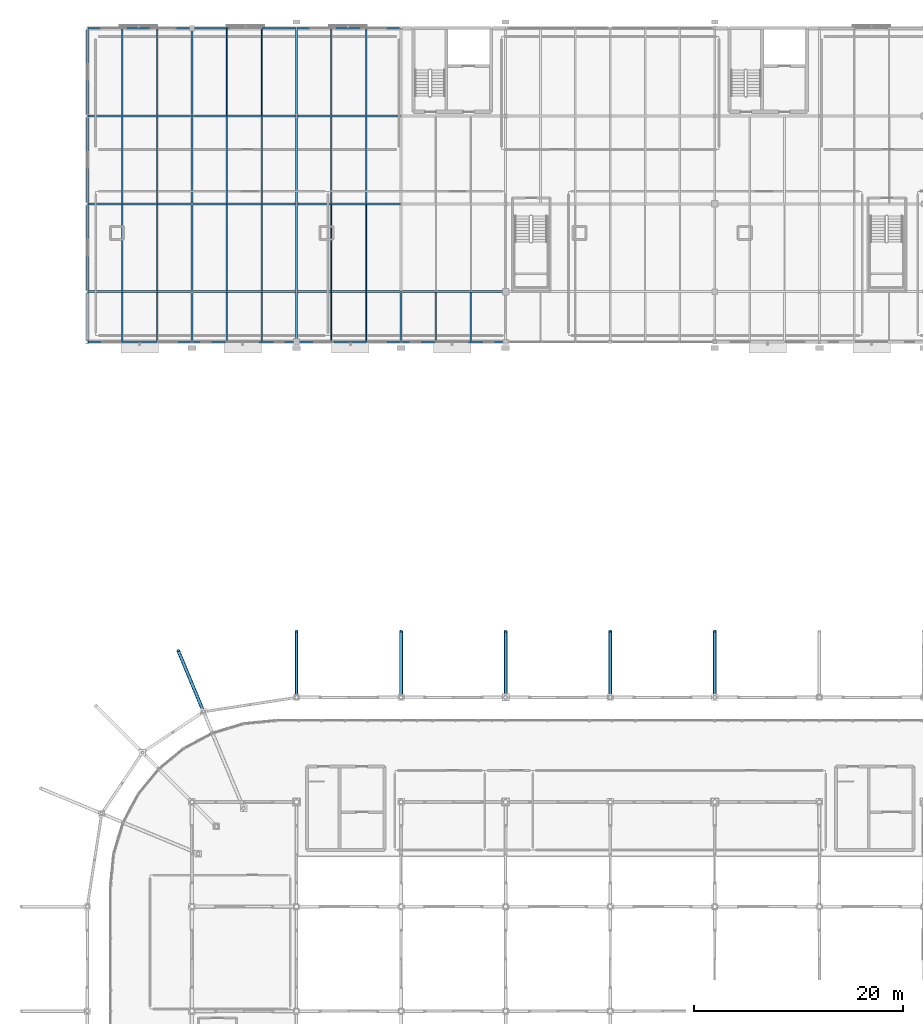
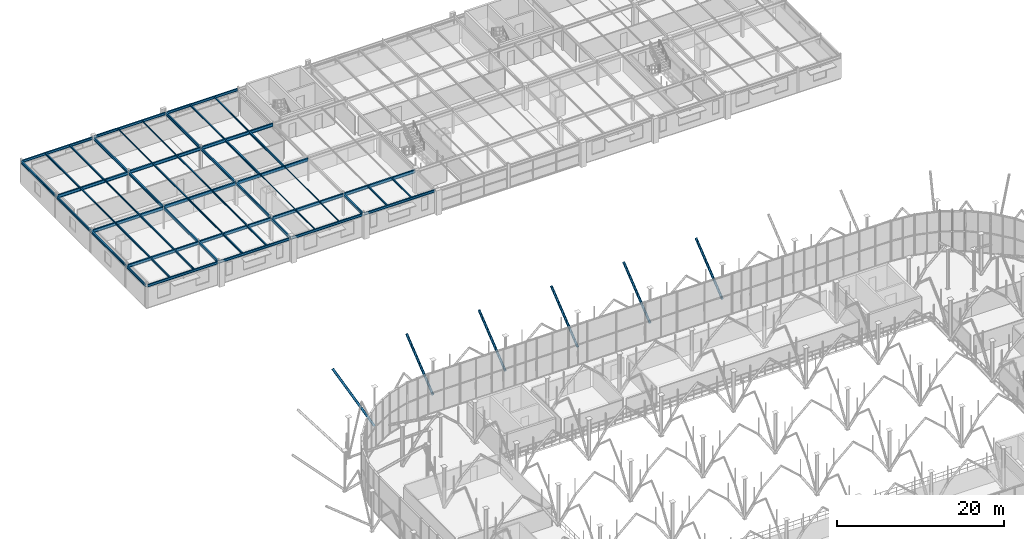
# One storey, part 81 of 109: 56 beams, 6 members.
"""IFC4 building model written with IfcOpenShell, lengths in metres."""

from ifc_helpers import new_model, si_unit, derived_unit, direction, frame, origin, origin_2d_with_axis, place, context, subcontext, project, spatial, hollow_circle, i_section, extrude, material, material_profile, profile_set, type_object, element, save


model = new_model("IFC4")

# Units and contexts
model_context = context("Model", 3, precision=1e-05, world=origin(), true_north=direction((0.0, 1.0)))
body_context = subcontext(model_context, "Body", "Model", "MODEL_VIEW")
ifc_project = project(units=[si_unit("LENGTHUNIT", "METRE"), si_unit("AREAUNIT", "SQUARE_METRE"), si_unit("VOLUMEUNIT", "CUBIC_METRE"), si_unit("PLANEANGLEUNIT", "RADIAN"), si_unit("MASSUNIT", "GRAM", prefix="KILO"), derived_unit("THERMALTRANSMITTANCEUNIT", [(si_unit("POWERUNIT", "WATT"), 1), (si_unit("LENGTHUNIT", "METRE"), -2), (si_unit("THERMODYNAMICTEMPERATUREUNIT", "KELVIN"), -1)])], contexts=[model_context])

# Site, building, storey
site_placement = place(None, origin())
site = spatial("IfcSite", under=ifc_project, at=site_placement, CompositionType="ELEMENT")
building_placement = place(site_placement, origin())
building = spatial("IfcBuilding", under=site, at=building_placement, Name="Cinnabar Yard Market Hall", CompositionType="ELEMENT")
storey_placement = place(building_placement, frame((0.0, 0.0, 8.39990234375)))
storey = spatial("IfcBuildingStorey", under=building, at=storey_placement, Name="L02", CompositionType="ELEMENT", Elevation=8.39990234375)

# Beams
ifc_material_1 = material(Name="Steel Grade 300 (300 MPa)", Category="steel")
ifc_material_profile_1 = material_profile(ifc_material_1, i_section(OverallWidth=0.18994140625, OverallDepth=0.453857421875, WebThickness=0.008544921875, FlangeThickness=0.0126953125, FilletRadius=0.011474609375, at=origin_2d_with_axis()), Name="460UB67.1")
ifc_profile_set_1 = profile_set([ifc_material_profile_1], Name="Steel Grade 300 (300 MPa)")
beam_type_1 = type_object("IfcBeamType", Name="BM-B05", PredefinedType="BEAM", material=ifc_profile_set_1)
for number, where, z_axis, x_axis, name in (
    (1, (66.06005859375, 112.800048828125, 3.05322265625), (1.0, 0.0, 0.0), (0.0, 1.0, 0.0), "V3 L02 Girder X 01188"),
    (2, (66.06005859375, 121.199951171875, 3.05322265625), (1.0, 0.0, 0.0), (0.0, 1.0, 0.0), "V3 L02 Girder X 01189"),
    (3, (66.06005859375, 129.60009765625, 3.05322265625), (1.0, 0.0, 0.0), (0.0, 1.0, 0.0), "V3 L02 Girder X 01190"),
    (4, (76.06005859375, 112.800048828125, 3.05322265625), (1.0, 0.0, 0.0), (0.0, 1.0, 0.0), "V3 L02 Girder X 01193"),
    (5, (76.06005859375, 121.199951171875, 3.13330078125), (1.0, 0.0, 0.0), (0.0, 1.0, 0.0), "V3 L02 Girder X 01194"),
    (6, (76.06005859375, 129.60009765625, 3.13330078125), (1.0, 0.0, 0.0), (0.0, 1.0, 0.0), "V3 L02 Girder X 01195"),
    (7, (86.06005859375, 112.800048828125, 3.05322265625), (1.0, 0.0, 0.0), (0.0, 1.0, 0.0), "V3 L02 Girder X 01198"),
    (8, (86.06005859375, 121.199951171875, 3.13330078125), (1.0, 0.0, 0.0), (0.0, 1.0, 0.0), "V3 L02 Girder X 01199"),
    (9, (86.06005859375, 129.60009765625, 3.13330078125), (1.0, 0.0, 0.0), (0.0, 1.0, 0.0), "V3 L02 Girder X 01200"),
    (10, (96.06005859375, 112.800048828125, 3.05322265625), (1.0, 0.0, 0.0), (0.0, 1.0, 0.0), "V3 L02 Girder X 01203"),
):
    element("IfcBeam", number, at=place(storey_placement, frame(where, z_axis=z_axis, x_axis=x_axis)), inside=storey, type_object=beam_type_1, Name=name, PredefinedType="BEAM", context=body_context, shape_type="SweptSolid", body=[
        extrude(i_section(OverallWidth=0.18994140625, OverallDepth=0.453857421875, WebThickness=0.008544921875, FlangeThickness=0.0126953125, FilletRadius=0.011474609375, at=origin_2d_with_axis()), origin(), (0.0, 0.0, 1.0), 9.8798828125),
    ])
ifc_material_profile_2 = material_profile(ifc_material_1, i_section(OverallWidth=0.177978515625, OverallDepth=0.406494140625, WebThickness=0.0078125, FlangeThickness=0.0126953125, FilletRadius=0.011474609375, at=origin_2d_with_axis()), Name="410UB59.7")
ifc_profile_set_2 = profile_set([ifc_material_profile_2], Name="Steel Grade 300 (300 MPa)")
beam_type_2 = type_object("IfcBeamType", Name="BM-B06", PredefinedType="BEAM", material=ifc_profile_set_2)
beam_1_placement = place(storey_placement, frame((76.0, 108.06005859375, 3.076904296875), z_axis=(0.0, 1.0, 0.0), x_axis=(-1.0, 0.0, 0.0)))
element("IfcBeam", 11, at=beam_1_placement, inside=storey, type_object=beam_type_2, Name="V3 L02 Girder Y 01241", PredefinedType="BEAM", context=body_context, shape_type="SweptSolid", body=[
    extrude(i_section(OverallWidth=0.177978515625, OverallDepth=0.406494140625, WebThickness=0.0078125, FlangeThickness=0.0126953125, FilletRadius=0.011474609375, at=origin_2d_with_axis()), origin(), (0.0, 0.0, 1.0), 4.679931640625),
])
beam_2_placement = place(storey_placement, frame((76.0, 112.860107421875, 3.076904296875), z_axis=(0.0, 1.0, 0.0), x_axis=(-1.0, 0.0, 0.0)))
element("IfcBeam", 12, at=beam_2_placement, inside=storey, type_object=beam_type_2, Name="V3 L02 Girder Y 01242", PredefinedType="BEAM", context=body_context, shape_type="SweptSolid", body=[
    extrude(i_section(OverallWidth=0.177978515625, OverallDepth=0.406494140625, WebThickness=0.0078125, FlangeThickness=0.0126953125, FilletRadius=0.011474609375, at=origin_2d_with_axis()), origin(), (0.0, 0.0, 1.0), 8.27978515625),
])
for number, where, z_axis, x_axis, name in (
    (13, (76.0, 121.260009765625, 3.076904296875), (0.0, 1.0, 0.0), (-1.0, 0.0, 0.0), "V3 L02 Girder Y 01243"),
    (14, (76.0, 129.659912109375, 3.076904296875), (0.0, 1.0, 0.0), (-1.0, 0.0, 0.0), "V3 L02 Girder Y 01244"),
):
    element("IfcBeam", number, at=place(storey_placement, frame(where, z_axis=z_axis, x_axis=x_axis)), inside=storey, type_object=beam_type_2, Name=name, PredefinedType="BEAM", context=body_context, shape_type="SweptSolid", body=[
        extrude(i_section(OverallWidth=0.177978515625, OverallDepth=0.406494140625, WebThickness=0.0078125, FlangeThickness=0.0126953125, FilletRadius=0.011474609375, at=origin_2d_with_axis()), origin(), (0.0, 0.0, 1.0), 8.280029296875),
    ])
beam_3_placement = place(storey_placement, frame((86.0, 108.06005859375, 3.076904296875), z_axis=(0.0, 1.0, 0.0), x_axis=(-1.0, 0.0, 0.0)))
element("IfcBeam", 15, at=beam_3_placement, inside=storey, type_object=beam_type_2, Name="V3 L02 Girder Y 01245", PredefinedType="BEAM", context=body_context, shape_type="SweptSolid", body=[
    extrude(i_section(OverallWidth=0.177978515625, OverallDepth=0.406494140625, WebThickness=0.0078125, FlangeThickness=0.0126953125, FilletRadius=0.011474609375, at=origin_2d_with_axis()), origin(), (0.0, 0.0, 1.0), 4.679931640625),
])
beam_4_placement = place(storey_placement, frame((86.0, 112.860107421875, 3.156982421875), z_axis=(0.0, 1.0, 0.0), x_axis=(-1.0, 0.0, 0.0)))
element("IfcBeam", 16, at=beam_4_placement, inside=storey, type_object=beam_type_2, Name="V3 L02 Girder Y 01246", PredefinedType="BEAM", context=body_context, shape_type="SweptSolid", body=[
    extrude(i_section(OverallWidth=0.177978515625, OverallDepth=0.406494140625, WebThickness=0.0078125, FlangeThickness=0.0126953125, FilletRadius=0.011474609375, at=origin_2d_with_axis()), origin(), (0.0, 0.0, 1.0), 8.27978515625),
])
for number, where, z_axis, x_axis, name in (
    (17, (86.0, 121.260009765625, 3.156982421875), (0.0, 1.0, 0.0), (-1.0, 0.0, 0.0), "V3 L02 Girder Y 01247"),
    (18, (86.0, 129.659912109375, 3.156982421875), (0.0, 1.0, 0.0), (-1.0, 0.0, 0.0), "V3 L02 Girder Y 01248"),
):
    element("IfcBeam", number, at=place(storey_placement, frame(where, z_axis=z_axis, x_axis=x_axis)), inside=storey, type_object=beam_type_2, Name=name, PredefinedType="BEAM", context=body_context, shape_type="SweptSolid", body=[
        extrude(i_section(OverallWidth=0.177978515625, OverallDepth=0.406494140625, WebThickness=0.0078125, FlangeThickness=0.0126953125, FilletRadius=0.011474609375, at=origin_2d_with_axis()), origin(), (0.0, 0.0, 1.0), 8.280029296875),
    ])
beam_5_placement = place(storey_placement, frame((96.0, 108.06005859375, 3.076904296875), z_axis=(0.0, 1.0, 0.0), x_axis=(-1.0, 0.0, 0.0)))
element("IfcBeam", 19, at=beam_5_placement, inside=storey, type_object=beam_type_2, Name="V3 L02 Girder Y 01249", PredefinedType="BEAM", context=body_context, shape_type="SweptSolid", body=[
    extrude(i_section(OverallWidth=0.177978515625, OverallDepth=0.406494140625, WebThickness=0.0078125, FlangeThickness=0.0126953125, FilletRadius=0.011474609375, at=origin_2d_with_axis()), origin(), (0.0, 0.0, 1.0), 4.679931640625),
])
ifc_material_profile_3 = material_profile(ifc_material_1, i_section(OverallWidth=0.14892578125, OverallDepth=0.298095703125, WebThickness=0.005615234375, FlangeThickness=0.008056640625, FilletRadius=0.0087890625, at=origin_2d_with_axis()), Name="310UB32.0")
ifc_profile_set_3 = profile_set([ifc_material_profile_3], Name="Steel Grade 300 (300 MPa)")
beam_type_3 = type_object("IfcBeamType", Name="BM-J02", PredefinedType="JOIST", material=ifc_profile_set_3)
for number, where, z_axis, x_axis, name in (
    (20, (69.333251953125, 108.074951171875, 3.131103515625), (0.0, 1.0, 0.0), (-1.0, 0.0, 0.0), "V3 L02 Joist 01281"),
    (21, (72.666748046875, 108.074951171875, 3.131103515625), (0.0, 1.0, 0.0), (-1.0, 0.0, 0.0), "V3 L02 Joist 01285"),
):
    element("IfcBeam", number, at=place(storey_placement, frame(where, z_axis=z_axis, x_axis=x_axis)), inside=storey, type_object=beam_type_3, Name=name, PredefinedType="JOIST", context=body_context, shape_type="SweptSolid", body=[
        extrude(i_section(OverallWidth=0.14892578125, OverallDepth=0.298095703125, WebThickness=0.005615234375, FlangeThickness=0.008056640625, FilletRadius=0.0087890625, at=origin_2d_with_axis()), origin(), (0.0, 0.0, 1.0), 4.650146484375),
    ])
ifc_material_profile_4 = material_profile(ifc_material_1, i_section(OverallWidth=0.14599609375, OverallDepth=0.256103515625, WebThickness=0.00634765625, FlangeThickness=0.010986328125, FilletRadius=0.0087890625, at=origin_2d_with_axis()), Name="250UB37.3")
ifc_profile_set_4 = profile_set([ifc_material_profile_4], Name="Steel Grade 300 (300 MPa)")
beam_type_4 = type_object("IfcBeamType", Name="BM-J03", PredefinedType="JOIST", material=ifc_profile_set_4)
for number, where, z_axis, x_axis, name in (
    (22, (69.333251953125, 112.875, 3.152099609375), (0.0, 1.0, 0.0), (-1.0, 0.0, 0.0), "V3 L02 Joist 01282"),
    (23, (72.666748046875, 112.875, 3.152099609375), (0.0, 1.0, 0.0), (-1.0, 0.0, 0.0), "V3 L02 Joist 01286"),
):
    element("IfcBeam", number, at=place(storey_placement, frame(where, z_axis=z_axis, x_axis=x_axis)), inside=storey, type_object=beam_type_4, Name=name, PredefinedType="JOIST", context=body_context, shape_type="SweptSolid", body=[
        extrude(i_section(OverallWidth=0.14599609375, OverallDepth=0.256103515625, WebThickness=0.00634765625, FlangeThickness=0.010986328125, FilletRadius=0.0087890625, at=origin_2d_with_axis()), origin(), (0.0, 0.0, 1.0), 8.25),
    ])
ifc_material_profile_5 = material_profile(ifc_material_1, i_section(OverallWidth=0.134033203125, OverallDepth=0.20703125, WebThickness=0.00634765625, FlangeThickness=0.009521484375, FilletRadius=0.0087890625, at=origin_2d_with_axis()), Name="200UB29.8")
ifc_profile_set_5 = profile_set([ifc_material_profile_5], Name="Steel Grade 300 (300 MPa)")
beam_type_5 = type_object("IfcBeamType", Name="BM-J04", PredefinedType="JOIST", material=ifc_profile_set_5)
for number, where, z_axis, x_axis, name in (
    (24, (69.333251953125, 121.27490234375, 3.176513671875), (0.0, 1.0, 0.0), (-1.0, 0.0, 0.0), "V3 L02 Joist 01283"),
    (25, (72.666748046875, 121.27490234375, 3.176513671875), (0.0, 1.0, 0.0), (-1.0, 0.0, 0.0), "V3 L02 Joist 01287"),
):
    element("IfcBeam", number, at=place(storey_placement, frame(where, z_axis=z_axis, x_axis=x_axis)), inside=storey, type_object=beam_type_5, Name=name, PredefinedType="JOIST", context=body_context, shape_type="SweptSolid", body=[
        extrude(i_section(OverallWidth=0.134033203125, OverallDepth=0.20703125, WebThickness=0.00634765625, FlangeThickness=0.009521484375, FilletRadius=0.0087890625, at=origin_2d_with_axis()), origin(), (0.0, 0.0, 1.0), 8.25),
    ])
ifc_material_profile_6 = material_profile(ifc_material_1, i_section(OverallWidth=0.14599609375, OverallDepth=0.251708984375, WebThickness=0.006103515625, FlangeThickness=0.008544921875, FilletRadius=0.0087890625, at=origin_2d_with_axis()), Name="250UB31.4")
ifc_profile_set_6 = profile_set([ifc_material_profile_6], Name="Steel Grade 300 (300 MPa)")
beam_type_6 = type_object("IfcBeamType", Name="BM-J05", PredefinedType="JOIST", material=ifc_profile_set_6)
for number, where, z_axis, x_axis, name in (
    (26, (69.333251953125, 129.675048828125, 3.154296875), (0.0, 1.0, 0.0), (-1.0, 0.0, 0.0), "V3 L02 Joist 01284"),
    (27, (72.666748046875, 129.675048828125, 3.154296875), (0.0, 1.0, 0.0), (-1.0, 0.0, 0.0), "V3 L02 Joist 01288"),
):
    element("IfcBeam", number, at=place(storey_placement, frame(where, z_axis=z_axis, x_axis=x_axis)), inside=storey, type_object=beam_type_6, Name=name, PredefinedType="JOIST", context=body_context, shape_type="SweptSolid", body=[
        extrude(i_section(OverallWidth=0.14599609375, OverallDepth=0.251708984375, WebThickness=0.006103515625, FlangeThickness=0.008544921875, FilletRadius=0.0087890625, at=origin_2d_with_axis()), origin(), (0.0, 0.0, 1.0), 8.25),
    ])
for number, where, z_axis, x_axis, name in (
    (28, (79.333251953125, 108.074951171875, 3.154296875), (0.0, 1.0, 0.0), (-1.0, 0.0, 0.0), "V3 L02 Joist 01289"),
    (29, (82.666748046875, 108.074951171875, 3.154296875), (0.0, 1.0, 0.0), (-1.0, 0.0, 0.0), "V3 L02 Joist 01293"),
):
    element("IfcBeam", number, at=place(storey_placement, frame(where, z_axis=z_axis, x_axis=x_axis)), inside=storey, type_object=beam_type_6, Name=name, PredefinedType="JOIST", context=body_context, shape_type="SweptSolid", body=[
        extrude(i_section(OverallWidth=0.14599609375, OverallDepth=0.251708984375, WebThickness=0.006103515625, FlangeThickness=0.008544921875, FilletRadius=0.0087890625, at=origin_2d_with_axis()), origin(), (0.0, 0.0, 1.0), 4.650146484375),
    ])
ifc_material_profile_7 = material_profile(ifc_material_1, i_section(OverallWidth=0.1240234375, OverallDepth=0.248291015625, WebThickness=0.0048828125, FlangeThickness=0.008056640625, FilletRadius=0.0087890625, at=origin_2d_with_axis()), Name="250UB25.7")
ifc_profile_set_7 = profile_set([ifc_material_profile_7], Name="Steel Grade 300 (300 MPa)")
beam_type_7 = type_object("IfcBeamType", Name="BM-J06", PredefinedType="JOIST", material=ifc_profile_set_7)
for number, where, z_axis, x_axis, name in (
    (30, (79.333251953125, 112.875, 3.23583984375), (0.0, 1.0, 0.0), (-1.0, 0.0, 0.0), "V3 L02 Joist 01290"),
    (31, (82.666748046875, 112.875, 3.23583984375), (0.0, 1.0, 0.0), (-1.0, 0.0, 0.0), "V3 L02 Joist 01294"),
):
    element("IfcBeam", number, at=place(storey_placement, frame(where, z_axis=z_axis, x_axis=x_axis)), inside=storey, type_object=beam_type_7, Name=name, PredefinedType="JOIST", context=body_context, shape_type="SweptSolid", body=[
        extrude(i_section(OverallWidth=0.1240234375, OverallDepth=0.248291015625, WebThickness=0.0048828125, FlangeThickness=0.008056640625, FilletRadius=0.0087890625, at=origin_2d_with_axis()), origin(), (0.0, 0.0, 1.0), 8.25),
    ])
ifc_material_profile_8 = material_profile(ifc_material_1, i_section(OverallWidth=0.133056640625, OverallDepth=0.203125, WebThickness=0.005859375, FlangeThickness=0.0078125, FilletRadius=0.0087890625, at=origin_2d_with_axis()), Name="200UB25.4")
ifc_profile_set_8 = profile_set([ifc_material_profile_8], Name="Steel Grade 300 (300 MPa)")
beam_type_8 = type_object("IfcBeamType", Name="BM-J07", PredefinedType="JOIST", material=ifc_profile_set_8)
for number, where, z_axis, x_axis, name in (
    (32, (79.333251953125, 121.27490234375, 3.258544921875), (0.0, 1.0, 0.0), (-1.0, 0.0, 0.0), "V3 L02 Joist 01291"),
    (33, (82.666748046875, 121.27490234375, 3.258544921875), (0.0, 1.0, 0.0), (-1.0, 0.0, 0.0), "V3 L02 Joist 01295"),
):
    element("IfcBeam", number, at=place(storey_placement, frame(where, z_axis=z_axis, x_axis=x_axis)), inside=storey, type_object=beam_type_8, Name=name, PredefinedType="JOIST", context=body_context, shape_type="SweptSolid", body=[
        extrude(i_section(OverallWidth=0.133056640625, OverallDepth=0.203125, WebThickness=0.005859375, FlangeThickness=0.0078125, FilletRadius=0.0087890625, at=origin_2d_with_axis()), origin(), (0.0, 0.0, 1.0), 8.25),
    ])
ifc_material_profile_9 = material_profile(ifc_material_1, i_section(OverallWidth=0.090087890625, OverallDepth=0.178955078125, WebThickness=0.006103515625, FlangeThickness=0.009521484375, FilletRadius=0.0087890625, at=origin_2d_with_axis()), Name="180UB22.2")
ifc_profile_set_9 = profile_set([ifc_material_profile_9], Name="Steel Grade 300 (300 MPa)")
beam_type_9 = type_object("IfcBeamType", Name="BM-J08", PredefinedType="JOIST", material=ifc_profile_set_9)
for number, where, z_axis, x_axis, name in (
    (34, (79.333251953125, 129.675048828125, 3.2705078125), (0.0, 1.0, 0.0), (-1.0, 0.0, 0.0), "V3 L02 Joist 01292"),
    (35, (82.666748046875, 129.675048828125, 3.2705078125), (0.0, 1.0, 0.0), (-1.0, 0.0, 0.0), "V3 L02 Joist 01296"),
):
    element("IfcBeam", number, at=place(storey_placement, frame(where, z_axis=z_axis, x_axis=x_axis)), inside=storey, type_object=beam_type_9, Name=name, PredefinedType="JOIST", context=body_context, shape_type="SweptSolid", body=[
        extrude(i_section(OverallWidth=0.090087890625, OverallDepth=0.178955078125, WebThickness=0.006103515625, FlangeThickness=0.009521484375, FilletRadius=0.0087890625, at=origin_2d_with_axis()), origin(), (0.0, 0.0, 1.0), 8.25),
    ])
for number, where, z_axis, x_axis, name in (
    (36, (89.333251953125, 108.074951171875, 3.190673828125), (0.0, 1.0, 0.0), (-1.0, 0.0, 0.0), "V3 L02 Joist 01297"),
    (37, (92.666748046875, 108.074951171875, 3.190673828125), (0.0, 1.0, 0.0), (-1.0, 0.0, 0.0), "V3 L02 Joist 01301"),
):
    element("IfcBeam", number, at=place(storey_placement, frame(where, z_axis=z_axis, x_axis=x_axis)), inside=storey, type_object=beam_type_9, Name=name, PredefinedType="JOIST", context=body_context, shape_type="SweptSolid", body=[
        extrude(i_section(OverallWidth=0.090087890625, OverallDepth=0.178955078125, WebThickness=0.006103515625, FlangeThickness=0.009521484375, FilletRadius=0.0087890625, at=origin_2d_with_axis()), origin(), (0.0, 0.0, 1.0), 4.650146484375),
    ])
ifc_material_profile_10 = material_profile(ifc_material_1, i_section(OverallWidth=0.074951171875, OverallDepth=0.155029296875, WebThickness=0.006103515625, FlangeThickness=0.009521484375, FilletRadius=0.008056640625, at=origin_2d_with_axis()), Name="150UB18.0")
ifc_profile_set_10 = profile_set([ifc_material_profile_10], Name="Steel Grade 300 (300 MPa)")
beam_type_10 = type_object("IfcBeamType", Name="BM-J09", PredefinedType="JOIST", material=ifc_profile_set_10)
for number, where, z_axis, x_axis, name in (
    (38, (89.333251953125, 112.875, 3.28271484375), (0.0, 1.0, 0.0), (-1.0, 0.0, 0.0), "V3 L02 Joist 01298"),
    (39, (92.666748046875, 112.875, 3.28271484375), (0.0, 1.0, 0.0), (-1.0, 0.0, 0.0), "V3 L02 Joist 01302"),
):
    element("IfcBeam", number, at=place(storey_placement, frame(where, z_axis=z_axis, x_axis=x_axis)), inside=storey, type_object=beam_type_10, Name=name, PredefinedType="JOIST", context=body_context, shape_type="SweptSolid", body=[
        extrude(i_section(OverallWidth=0.074951171875, OverallDepth=0.155029296875, WebThickness=0.006103515625, FlangeThickness=0.009521484375, FilletRadius=0.008056640625, at=origin_2d_with_axis()), origin(), (0.0, 0.0, 1.0), 8.25),
    ])
ifc_material_profile_11 = material_profile(ifc_material_1, i_section(OverallWidth=0.1650390625, OverallDepth=0.303955078125, WebThickness=0.006103515625, FlangeThickness=0.01025390625, FilletRadius=0.011474609375, at=origin_2d_with_axis()), Name="310UB40.4")
ifc_profile_set_11 = profile_set([ifc_material_profile_11], Name="Steel Grade 300 (300 MPa)")
beam_type_11 = type_object("IfcBeamType", Name="BM-J10", PredefinedType="JOIST", material=ifc_profile_set_11)
for number, where, z_axis, x_axis, name in (
    (40, (89.333251953125, 121.27490234375, 3.2080078125), (0.0, 1.0, 0.0), (-1.0, 0.0, 0.0), "V3 L02 Joist 01299"),
    (41, (92.666748046875, 121.27490234375, 3.2080078125), (0.0, 1.0, 0.0), (-1.0, 0.0, 0.0), "V3 L02 Joist 01303"),
):
    element("IfcBeam", number, at=place(storey_placement, frame(where, z_axis=z_axis, x_axis=x_axis)), inside=storey, type_object=beam_type_11, Name=name, PredefinedType="JOIST", context=body_context, shape_type="SweptSolid", body=[
        extrude(i_section(OverallWidth=0.1650390625, OverallDepth=0.303955078125, WebThickness=0.006103515625, FlangeThickness=0.01025390625, FilletRadius=0.011474609375, at=origin_2d_with_axis()), origin(), (0.0, 0.0, 1.0), 8.25),
    ])
ifc_material_profile_12 = material_profile(ifc_material_1, i_section(OverallWidth=0.133056640625, OverallDepth=0.20166015625, WebThickness=0.0048828125, FlangeThickness=0.0078125, FilletRadius=0.0087890625, at=origin_2d_with_axis()), Name="200UB22.3")
ifc_profile_set_12 = profile_set([ifc_material_profile_12], Name="Steel Grade 300 (300 MPa)")
beam_type_12 = type_object("IfcBeamType", Name="BM-J11", PredefinedType="JOIST", material=ifc_profile_set_12)
for number, where, z_axis, x_axis, name in (
    (42, (89.333251953125, 129.675048828125, 3.25927734375), (0.0, 1.0, 0.0), (-1.0, 0.0, 0.0), "V3 L02 Joist 01300"),
    (43, (92.666748046875, 129.675048828125, 3.25927734375), (0.0, 1.0, 0.0), (-1.0, 0.0, 0.0), "V3 L02 Joist 01304"),
):
    element("IfcBeam", number, at=place(storey_placement, frame(where, z_axis=z_axis, x_axis=x_axis)), inside=storey, type_object=beam_type_12, Name=name, PredefinedType="JOIST", context=body_context, shape_type="SweptSolid", body=[
        extrude(i_section(OverallWidth=0.133056640625, OverallDepth=0.20166015625, WebThickness=0.0048828125, FlangeThickness=0.0078125, FilletRadius=0.0087890625, at=origin_2d_with_axis()), origin(), (0.0, 0.0, 1.0), 8.25),
    ])
for number, where, z_axis, x_axis, name in (
    (44, (99.333251953125, 108.074951171875, 3.17919921875), (0.0, 1.0, 0.0), (-1.0, 0.0, 0.0), "V3 L02 Joist 01305"),
    (45, (102.666748046875, 108.074951171875, 3.17919921875), (0.0, 1.0, 0.0), (-1.0, 0.0, 0.0), "V3 L02 Joist 01308"),
):
    element("IfcBeam", number, at=place(storey_placement, frame(where, z_axis=z_axis, x_axis=x_axis)), inside=storey, type_object=beam_type_12, Name=name, PredefinedType="JOIST", context=body_context, shape_type="SweptSolid", body=[
        extrude(i_section(OverallWidth=0.133056640625, OverallDepth=0.20166015625, WebThickness=0.0048828125, FlangeThickness=0.0078125, FilletRadius=0.0087890625, at=origin_2d_with_axis()), origin(), (0.0, 0.0, 1.0), 4.650146484375),
    ])
ifc_material_profile_13 = material_profile(ifc_material_1, i_section(OverallWidth=0.172119140625, OverallDepth=0.358642578125, WebThickness=0.008056640625, FlangeThickness=0.012939453125, FilletRadius=0.011474609375, at=origin_2d_with_axis()), Name="360UB56.7")
ifc_profile_set_13 = profile_set([ifc_material_profile_13], Name="Steel Grade 300 (300 MPa)")
beam_type_13 = type_object("IfcBeamType", Name="BM-SP02E", PredefinedType="SPANDREL", material=ifc_profile_set_13)
for number, where, z_axis, x_axis, name in (
    (46, (66.06005859375, 108.0, 3.100830078125), (1.0, 0.0, 0.0), (0.0, 1.0, 0.0), "V3 L02 Girder X 01187"),
    (47, (66.06005859375, 138.0, 3.100830078125), (1.0, 0.0, 0.0), (0.0, 1.0, 0.0), "V3 L02 Girder X 01191"),
    (48, (76.06005859375, 108.0, 3.100830078125), (1.0, 0.0, 0.0), (0.0, 1.0, 0.0), "V3 L02 Girder X 01192"),
    (49, (76.06005859375, 138.0, 3.180908203125), (1.0, 0.0, 0.0), (0.0, 1.0, 0.0), "V3 L02 Girder X 01196"),
    (50, (86.06005859375, 108.0, 3.100830078125), (1.0, 0.0, 0.0), (0.0, 1.0, 0.0), "V3 L02 Girder X 01197"),
    (51, (86.06005859375, 138.0, 3.180908203125), (1.0, 0.0, 0.0), (0.0, 1.0, 0.0), "V3 L02 Girder X 01201"),
    (52, (96.06005859375, 108.0, 3.100830078125), (1.0, 0.0, 0.0), (0.0, 1.0, 0.0), "V3 L02 Girder X 01202"),
):
    element("IfcBeam", number, at=place(storey_placement, frame(where, z_axis=z_axis, x_axis=x_axis)), inside=storey, type_object=beam_type_13, Name=name, PredefinedType="SPANDREL", context=body_context, shape_type="SweptSolid", body=[
        extrude(i_section(OverallWidth=0.172119140625, OverallDepth=0.358642578125, WebThickness=0.008056640625, FlangeThickness=0.012939453125, FilletRadius=0.011474609375, at=origin_2d_with_axis()), origin(), (0.0, 0.0, 1.0), 9.8798828125),
    ])
beam_6_placement = place(storey_placement, frame((66.0, 108.06005859375, 3.100830078125), z_axis=(0.0, 1.0, 0.0), x_axis=(-1.0, 0.0, 0.0)))
element("IfcBeam", 53, at=beam_6_placement, inside=storey, type_object=beam_type_13, Name="V3 L02 Girder Y 01237", PredefinedType="SPANDREL", context=body_context, shape_type="SweptSolid", body=[
    extrude(i_section(OverallWidth=0.172119140625, OverallDepth=0.358642578125, WebThickness=0.008056640625, FlangeThickness=0.012939453125, FilletRadius=0.011474609375, at=origin_2d_with_axis()), origin(), (0.0, 0.0, 1.0), 4.679931640625),
])
beam_7_placement = place(storey_placement, frame((66.0, 112.860107421875, 3.100830078125), z_axis=(0.0, 1.0, 0.0), x_axis=(-1.0, 0.0, 0.0)))
element("IfcBeam", 54, at=beam_7_placement, inside=storey, type_object=beam_type_13, Name="V3 L02 Girder Y 01238", PredefinedType="SPANDREL", context=body_context, shape_type="SweptSolid", body=[
    extrude(i_section(OverallWidth=0.172119140625, OverallDepth=0.358642578125, WebThickness=0.008056640625, FlangeThickness=0.012939453125, FilletRadius=0.011474609375, at=origin_2d_with_axis()), origin(), (0.0, 0.0, 1.0), 8.27978515625),
])
for number, where, z_axis, x_axis, name in (
    (55, (66.0, 121.260009765625, 3.100830078125), (0.0, 1.0, 0.0), (-1.0, 0.0, 0.0), "V3 L02 Girder Y 01239"),
    (56, (66.0, 129.659912109375, 3.100830078125), (0.0, 1.0, 0.0), (-1.0, 0.0, 0.0), "V3 L02 Girder Y 01240"),
):
    element("IfcBeam", number, at=place(storey_placement, frame(where, z_axis=z_axis, x_axis=x_axis)), inside=storey, type_object=beam_type_13, Name=name, PredefinedType="SPANDREL", context=body_context, shape_type="SweptSolid", body=[
        extrude(i_section(OverallWidth=0.172119140625, OverallDepth=0.358642578125, WebThickness=0.008056640625, FlangeThickness=0.012939453125, FilletRadius=0.011474609375, at=origin_2d_with_axis()), origin(), (0.0, 0.0, 1.0), 8.280029296875),
    ])

# Members
ifc_material_2 = material(Name="Spotted-gum glulam-clad steel Grade 350 (350 MPa)", Category="steel")
ifc_material_profile_14 = material_profile(ifc_material_2, hollow_circle(Radius=0.161865234375, WallThickness=0.009521484375, at=origin_2d_with_axis()), Name="323.9x9.5CHS")
ifc_profile_set_14 = profile_set([ifc_material_profile_14], Name="Spotted-gum glulam-clad steel Grade 350 (350 MPa)")
member_type = type_object("IfcMemberType", Name="MB-ST01E", PredefinedType="STRUT", material=ifc_profile_set_14)
member_placement = place(storey_placement, frame((77.11181640625, 72.6298828125, 0.2001953125), z_axis=(-0.284586831322, 0.68704037604, 0.668570009145), x_axis=(-0.923876970079, -0.382689618566, 0.0)))
element("IfcMember", 57, at=member_placement, inside=storey, type_object=member_type, Name="Corner Chhajja Bracket Arm NW-2", PredefinedType="STRUT", context=body_context, shape_type="SweptSolid", body=[
    extrude(hollow_circle(Radius=0.161865234375, WallThickness=0.009521484375, at=origin_2d_with_axis()), origin(), (0.0, 0.0, 1.0), 8.525634765625),
])
for number, where, z_axis, x_axis, name in (
    (58, (86.0, 74.0, 0.800048828125), (0.0, 0.779185735248, 0.626793099824), (-1.0, 0.0, 0.0), "North Chhajja Bracket Arm 86"),
    (59, (96.0, 74.0, 0.800048828125), (0.0, 0.779185735248, 0.626793099824), (-1.0, 0.0, 0.0), "North Chhajja Bracket Arm 96"),
    (60, (106.0, 74.0, 0.800048828125), (0.0, 0.779185735248, 0.626793099824), (-1.0, 0.0, 0.0), "North Chhajja Bracket Arm 106"),
    (61, (116.0, 74.0, 0.800048828125), (0.0, 0.779185735248, 0.626793099824), (-1.0, 0.0, 0.0), "North Chhajja Bracket Arm 116"),
    (62, (126.0, 74.0, 0.800048828125), (0.0, 0.779185735248, 0.626793099824), (-1.0, 0.0, 0.0), "North Chhajja Bracket Arm 126"),
):
    element("IfcMember", number, at=place(storey_placement, frame(where, z_axis=z_axis, x_axis=x_axis)), inside=storey, type_object=member_type, Name=name, PredefinedType="STRUT", context=body_context, shape_type="SweptSolid", body=[
        extrude(hollow_circle(Radius=0.161865234375, WallThickness=0.009521484375, at=origin_2d_with_axis()), origin(), (0.0, 0.0, 1.0), 8.13671875),
    ])

save(model, "model.ifc")
